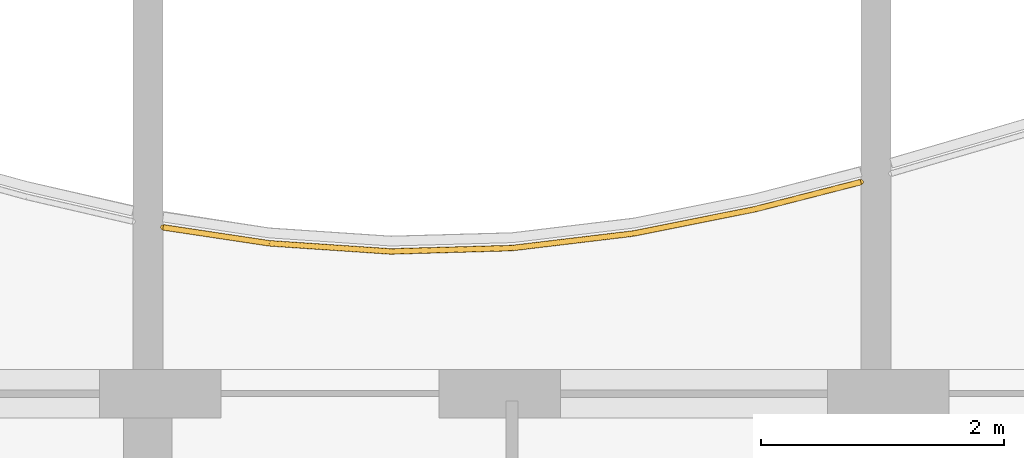
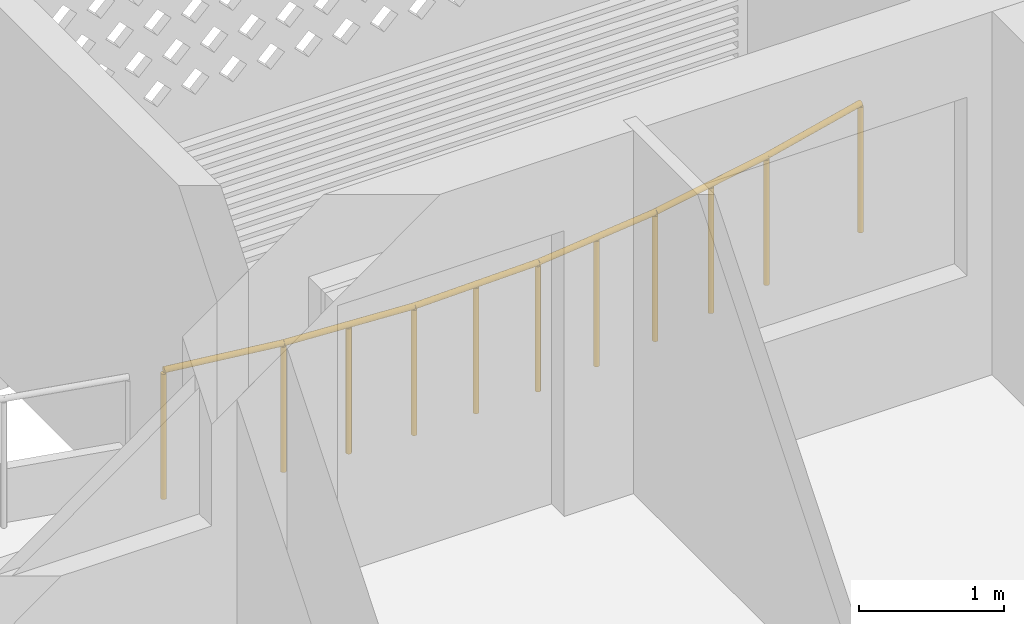
# One storey, part 36 of 39: 1 railing.
"""IFC4 building model written with IfcOpenShell, lengths in metres."""

from ifc_helpers import new_model, si_unit, direction, frame, origin, origin_2d, place, context, subcontext, project, spatial, circle, extrude, material, type_object, element, save


model = new_model("IFC4")

# Units and contexts
model_context = context("Model", 3, precision=1e-05, world=origin(), true_north=direction((0.0, 1.0)))
body_context = subcontext(model_context, "Body", "Model", "MODEL_VIEW")
ifc_project = project(units=[si_unit("LENGTHUNIT", "METRE"), si_unit("AREAUNIT", "SQUARE_METRE"), si_unit("VOLUMEUNIT", "CUBIC_METRE"), si_unit("PLANEANGLEUNIT", "RADIAN"), si_unit("MASSUNIT", "GRAM", prefix="KILO")], contexts=[model_context])

# Site, building, storey
site_placement = place(None, origin())
site = spatial("IfcSite", under=ifc_project, at=site_placement, CompositionType="ELEMENT")
building_placement = place(site_placement, origin())
building = spatial("IfcBuilding", under=site, at=building_placement, Name="Poui Terraces", CompositionType="ELEMENT")
storey_placement = place(building_placement, frame((0.0, 0.0, 56.39990234375)))
storey = spatial("IfcBuildingStorey", under=building, at=storey_placement, Name="L15", CompositionType="ELEMENT", Elevation=56.39990234375)

# Railing
ifc_material = material(Name="Painted steel fretwork", Category="steel")
railing_type = type_object("IfcRailingType", Name="BALCONY GUARD 1100", PredefinedType="GUARDRAIL", material=ifc_material)
railing_placement = place(storey_placement, frame((72.125, 46.170654296875, 0.0)))
element("IfcRailing", 1, at=railing_placement, inside=storey, type_object=railing_type, Name="BALCONY GUARD", PredefinedType="GUARDRAIL", context=body_context, shape_type="SweptSolid", body=[
    extrude(circle(Radius=0.02392578125, at=origin_2d()), frame((0.0, 0.0, 1.076171875), z_axis=(0.988920155698, -0.148448393908, 0.0), x_axis=(0.148448393908, 0.988920155698, 0.0)), (0.0, 0.0, 1.0), 0.884765625),
    extrude(circle(Radius=0.02392578125, at=origin_2d()), frame((0.875, -0.13134765625, 1.076171875), z_axis=(0.997753790287, -0.066987864338, 0.0), x_axis=(0.066987864338, 0.997753790287, 0.0)), (0.0, 0.0, 1.0), 1.002197265625),
    extrude(circle(Radius=0.02392578125, at=origin_2d()), frame((1.875, -0.198486328125, 1.076171875), z_axis=(0.999612913888, 0.027821257857, 0.0), x_axis=(-0.027821257857, 0.999612913888, 0.0)), (0.0, 0.0, 1.0), 1.00048828125),
    extrude(circle(Radius=0.02392578125, at=origin_2d()), frame((2.875, -0.170654296875, 1.076171875), z_axis=(0.992891742073, 0.119020958339, 0.0), x_axis=(-0.119020958339, 0.992891742073, 0.0)), (0.0, 0.0, 1.0), 1.007080078125),
    extrude(circle(Radius=0.02392578125, at=origin_2d()), frame((3.875, -0.05078125, 1.076171875), z_axis=(0.980635885947, 0.19583988152, 0.0), x_axis=(-0.19583988152, 0.980635885947, 0.0)), (0.0, 0.0, 1.0), 1.019775390625),
    extrude(circle(Radius=0.02392578125, at=origin_2d()), frame((4.875, 0.14892578125, 1.076171875), z_axis=(0.968662198693, 0.248381852846, 0.0), x_axis=(-0.248381852846, 0.968662198693, 0.0)), (0.0, 0.0, 1.0), 0.9033203125),
    extrude(circle(Radius=0.02099609375, at=origin_2d()), origin(), (0.0, 0.0, 1.0), 1.052001953125),
    extrude(circle(Radius=0.02099609375, at=origin_2d()), frame((0.875, -0.13134765625, 0.0)), (0.0, 0.0, 1.0), 1.052001953125),
    extrude(circle(Radius=0.02099609375, at=origin_2d()), frame((1.375, -0.1650390625, 0.0)), (0.0, 0.0, 1.0), 1.052001953125),
    extrude(circle(Radius=0.02099609375, at=origin_2d()), frame((1.875, -0.198486328125, 0.0)), (0.0, 0.0, 1.0), 1.052001953125),
    extrude(circle(Radius=0.02099609375, at=origin_2d()), frame((2.375, -0.1845703125, 0.0)), (0.0, 0.0, 1.0), 1.052001953125),
    extrude(circle(Radius=0.02099609375, at=origin_2d()), frame((2.875, -0.170654296875, 0.0)), (0.0, 0.0, 1.0), 1.052001953125),
    extrude(circle(Radius=0.02099609375, at=origin_2d()), frame((3.375, -0.11083984375, 0.0)), (0.0, 0.0, 1.0), 1.052001953125),
    extrude(circle(Radius=0.02099609375, at=origin_2d()), frame((3.875, -0.05078125, 0.0)), (0.0, 0.0, 1.0), 1.052001953125),
    extrude(circle(Radius=0.02099609375, at=origin_2d()), frame((4.375, 0.049072265625, 0.0)), (0.0, 0.0, 1.0), 1.052001953125),
    extrude(circle(Radius=0.02099609375, at=origin_2d()), frame((4.875, 0.14892578125, 0.0)), (0.0, 0.0, 1.0), 1.052001953125),
    extrude(circle(Radius=0.02099609375, at=origin_2d()), frame((5.75, 0.373291015625, 0.0)), (0.0, 0.0, 1.0), 1.052001953125),
])

save(model, "model.ifc")
